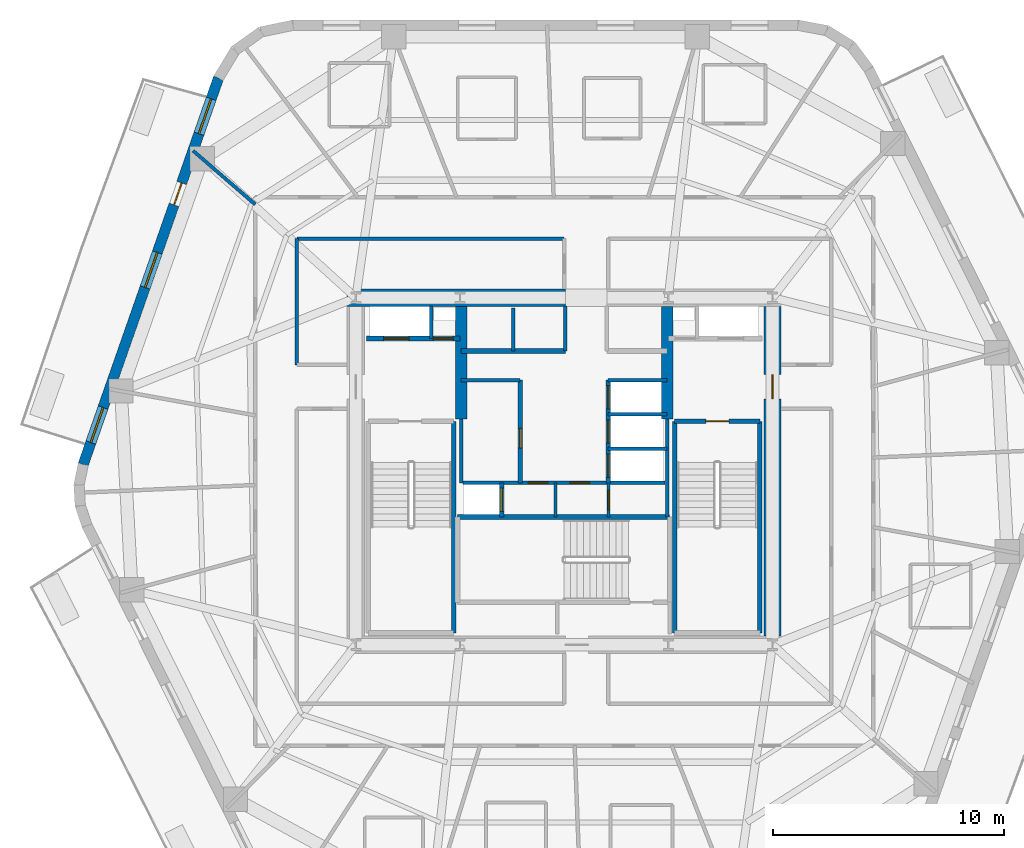
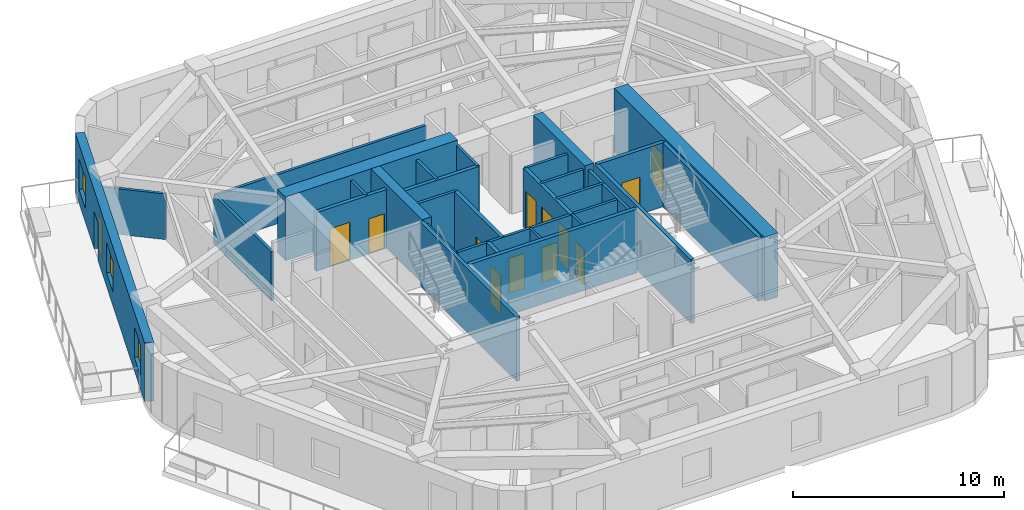
# One storey, part 4 of 10: 30 walls, 13 doors, 3 windows, 16 openings.
"""IFC4 building model written with IfcOpenShell, lengths in metres."""

from ifc_helpers import new_model, si_unit, direction, frame, frame_2d, origin, place, context, subcontext, project, spatial, rectangle, extrude, material, layer, layer_set, type_object, element, fill, save


model = new_model("IFC4")

# Units and contexts
model_context = context("Model", 3, precision=1e-05, world=origin(), true_north=direction((0.0, 1.0)))
body_context = subcontext(model_context, "Body", "Model", "MODEL_VIEW")
ifc_project = project(units=[si_unit("LENGTHUNIT", "METRE"), si_unit("AREAUNIT", "SQUARE_METRE"), si_unit("VOLUMEUNIT", "CUBIC_METRE"), si_unit("PLANEANGLEUNIT", "RADIAN"), si_unit("MASSUNIT", "GRAM", prefix="KILO")], contexts=[model_context])

# Site, building, storey
site_placement = place(None, origin())
site = spatial("IfcSite", under=ifc_project, at=site_placement, CompositionType="ELEMENT")
building_placement = place(site_placement, origin())
building = spatial("IfcBuilding", under=site, at=building_placement, Name="Kilnhurst Terrace Hotel", CompositionType="ELEMENT")
storey_placement = place(building_placement, frame((0.0, 0.0, 179.300048828125)))
storey = spatial("IfcBuildingStorey", under=building, at=storey_placement, Name="L44", CompositionType="ELEMENT", Elevation=179.300048828125)

# Wall, openings, door, windows
ifc_material_1 = material(Name="Precast concrete C40/50", Category="concrete")
ifc_layer_1 = layer(ifc_material_1, 0.449951171875, Name="Precast concrete C40/50")
ifc_layer_set_1 = layer_set([ifc_layer_1], Name="Precast concrete C40/50")
wall_type_1 = type_object("IfcWallType", Name="WL-BRK-450", PredefinedType="SOLIDWALL", material=ifc_layer_set_1)
wall_1_placement = place(storey_placement, frame((-14.936767578125, 16.993408203125, 0.0), z_axis=(0.0, 0.0, 1.0), x_axis=(-0.330431575061, -0.943829949834, 0.0)))
wall_1 = element("IfcWall", 1, at=wall_1_placement, inside=storey, type_object=wall_type_1, Name="L44 Exterior Brick Facade Wall F5", PredefinedType="SOLIDWALL", context=body_context, shape_type="SweptSolid", body=[
    extrude(rectangle(XDim=17.68896484375, YDim=0.449951171875, at=frame_2d((8.844482421875, 0.0))), origin(), (0.0, 0.0, 1.0), 3.39990234375),
])
opening_1_placement = place(wall_1_placement, frame((4.806884765625, 0.0, 0.0)))
opening_1 = element("IfcOpeningElement", 2, at=opening_1_placement, cuts=wall_1, Name="Opening BD-1000", PredefinedType="OPENING", context=body_context, shape_type="SweptSolid", body=[
    extrude(rectangle(XDim=1.0, YDim=2.14990234375, at=frame_2d((0.5, 1.074951171875))), frame((0.0, 0.23486328125, 0.0), z_axis=(0.0, -1.0, 0.0), x_axis=(1.0, 0.0, 0.0)), (0.0, 0.0, 1.0), 0.469970703125),
])
opening_2_placement = place(wall_1_placement, frame((0.949951171875, 0.0, 0.800048828125)))
opening_2 = element("IfcOpeningElement", 3, at=opening_2_placement, cuts=wall_1, Name="Opening W-05", PredefinedType="OPENING", context=body_context, shape_type="SweptSolid", body=[
    extrude(rectangle(XDim=1.60009765625, YDim=1.75, at=frame_2d((0.800048828125, 0.875))), frame((0.0, 0.23486328125, 0.0), z_axis=(0.0, -1.0, 0.0), x_axis=(1.0, 0.0, 0.0)), (0.0, 0.0, 1.0), 0.469970703125),
])
opening_3_placement = place(wall_1_placement, frame((7.989990234375, 0.0, 0.800048828125)))
opening_3 = element("IfcOpeningElement", 4, at=opening_3_placement, cuts=wall_1, Name="Opening W-05", PredefinedType="OPENING", context=body_context, shape_type="SweptSolid", body=[
    extrude(rectangle(XDim=1.60009765625, YDim=1.75, at=frame_2d((0.800048828125, 0.875))), frame((0.0, 0.23486328125, 0.0), z_axis=(0.0, -1.0, 0.0), x_axis=(1.0, 0.0, 0.0)), (0.0, 0.0, 1.0), 0.469970703125),
])
opening_4_placement = place(wall_1_placement, frame((15.083984375, 0.0, 0.800048828125)))
opening_4 = element("IfcOpeningElement", 5, at=opening_4_placement, cuts=wall_1, Name="Opening W-05", PredefinedType="OPENING", context=body_context, shape_type="SweptSolid", body=[
    extrude(rectangle(XDim=1.60009765625, YDim=1.75, at=frame_2d((0.800048828125, 0.875))), frame((0.0, 0.23486328125, 0.0), z_axis=(0.0, -1.0, 0.0), x_axis=(1.0, 0.0, 0.0)), (0.0, 0.0, 1.0), 0.469970703125),
])
ifc_material_2 = material(Name="Thermally Broken Bronze Aluminium Alloy 6063-T6 and Laminated Glass", Category="aluminium")
door_type_1 = type_object("IfcDoorType", Name="DR-EXT-BAL-1000", OperationType="NOTDEFINED", PredefinedType="DOOR", material=ifc_material_2)
door_1_placement = place(opening_1_placement, origin())
door_1 = element("IfcDoor", 6, at=door_1_placement, inside=storey, type_object=door_type_1, Name="L44 Planted Balcony Door BAL-L2A", OperationType="SINGLE_SWING_LEFT", OverallHeight=2.14990234375, OverallWidth=1.0, PredefinedType="DOOR", context=body_context, shape_type="SweptSolid", body=[
    extrude(rectangle(XDim=1.0, YDim=2.14990234375, at=frame_2d((0.5, 1.074951171875))), frame((0.0, 0.02490234375, 0.0), z_axis=(0.0, -1.0, 0.0), x_axis=(1.0, 0.0, 0.0)), (0.0, 0.0, 1.0), 0.050048828125),
])
fill(opening_1, door_1)
ifc_material_3 = material(Name="Thermally Broken Bronze Aluminium Alloy 6063-T6 and Low-E Glass", Category="aluminium")
window_type = type_object("IfcWindowType", Name="WIN-1600X1750", PartitioningType="SINGLE_PANEL", PredefinedType="WINDOW", material=ifc_material_3)
window_1_placement = place(opening_2_placement, origin())
window_1 = element("IfcWindow", 7, at=window_1_placement, inside=storey, type_object=window_type, Name="L44 Deep-Set Masonry Window F5.1", OverallHeight=1.75, OverallWidth=1.60009765625, PartitioningType="SINGLE_PANEL", PredefinedType="WINDOW", context=body_context, shape_type="SweptSolid", body=[
    extrude(rectangle(XDim=1.60009765625, YDim=1.75, at=frame_2d((0.800048828125, 0.875))), frame((0.0, 0.030029296875, 0.0), z_axis=(0.0, -1.0, 0.0), x_axis=(1.0, 0.0, 0.0)), (0.0, 0.0, 1.0), 0.06005859375),
])
fill(opening_2, window_1)
window_2_placement = place(opening_3_placement, origin())
window_2 = element("IfcWindow", 8, at=window_2_placement, inside=storey, type_object=window_type, Name="L44 Deep-Set Masonry Window F5.2", OverallHeight=1.75, OverallWidth=1.60009765625, PartitioningType="SINGLE_PANEL", PredefinedType="WINDOW", context=body_context, shape_type="SweptSolid", body=[
    extrude(rectangle(XDim=1.60009765625, YDim=1.75, at=frame_2d((0.800048828125, 0.875))), frame((0.0, 0.030029296875, 0.0), z_axis=(0.0, -1.0, 0.0), x_axis=(1.0, 0.0, 0.0)), (0.0, 0.0, 1.0), 0.06005859375),
])
fill(opening_3, window_2)
window_3_placement = place(opening_4_placement, origin())
window_3 = element("IfcWindow", 9, at=window_3_placement, inside=storey, type_object=window_type, Name="L44 Deep-Set Masonry Window F5.3", OverallHeight=1.75, OverallWidth=1.60009765625, PartitioningType="SINGLE_PANEL", PredefinedType="WINDOW", context=body_context, shape_type="SweptSolid", body=[
    extrude(rectangle(XDim=1.60009765625, YDim=1.75, at=frame_2d((0.800048828125, 0.875))), frame((0.0, 0.030029296875, 0.0), z_axis=(0.0, -1.0, 0.0), x_axis=(1.0, 0.0, 0.0)), (0.0, 0.0, 1.0), 0.06005859375),
])
fill(opening_4, window_3)

# Walls
ifc_material_4 = material(Name="Acoustic Double-Gypsum Corridor Partition Assembly")
ifc_layer_2 = layer(ifc_material_4, 0.14990234375, Name="Acoustic Double-Gypsum Corridor Partition Assembly")
ifc_layer_set_2 = layer_set([ifc_layer_2], Name="Acoustic Double-Gypsum Corridor Partition Assembly")
wall_type_2 = type_object("IfcWallType", Name="WL-COR-150", PredefinedType="PARTITIONING", material=ifc_layer_set_2)
wall_2_placement = place(storey_placement, frame((0.0, 10.050048828125, 0.0), z_axis=(0.0, 0.0, 1.0), x_axis=(-1.0, 0.0, 0.0)))
element("IfcWall", 10, at=wall_2_placement, inside=storey, type_object=wall_type_2, Name="L44 Interior Wall WL-L44-COR-12", PredefinedType="PARTITIONING", context=body_context, shape_type="SweptSolid", body=[
    extrude(rectangle(XDim=11.550048828125, YDim=0.14990234375, at=frame_2d((5.77490234375, 0.0))), origin(), (0.0, 0.0, 1.0), 2.83984375),
])
wall_3_placement = place(storey_placement, frame((-11.550048828125, 10.050048828125, 0.0), z_axis=(0.0, 0.0, 1.0), x_axis=(0.0, -1.0, 0.0)))
element("IfcWall", 11, at=wall_3_placement, inside=storey, type_object=wall_type_2, Name="L44 Interior Wall WL-L44-COR-13", PredefinedType="PARTITIONING", context=body_context, shape_type="SweptSolid", body=[
    extrude(rectangle(XDim=5.449951171875, YDim=0.14990234375, at=frame_2d((2.72509765625, 0.0))), origin(), (0.0, 0.0, 1.0), 2.83984375),
])
ifc_material_5 = material(Name="Concrete C60/75", Category="concrete")
ifc_layer_3 = layer(ifc_material_5, 0.75, Name="Concrete C60/75")
ifc_layer_set_3 = layer_set([ifc_layer_3], Name="Concrete C60/75")
wall_type_3 = type_object("IfcWallType", Name="WL-CORE-750", PredefinedType="SHEAR", material=ifc_layer_set_3)
wall_4_placement = place(storey_placement, frame((-9.375, 7.5, 0.0), z_axis=(0.0, 0.0, 1.0), x_axis=(1.0, 0.0, 0.0)))
element("IfcWall", 12, at=wall_4_placement, inside=storey, type_object=wall_type_3, Name="L44 Core North West Shear Wall", PredefinedType="SHEAR", context=body_context, shape_type="SweptSolid", body=[
    extrude(rectangle(XDim=9.425048828125, YDim=0.75, at=frame_2d((4.71240234375, 0.0))), origin(), (0.0, 0.0, 1.0), 3.699951171875),
])

# Wall, opening, door
wall_5_placement = place(storey_placement, frame((9.0, -7.125, 0.0), z_axis=(0.0, 0.0, 1.0), x_axis=(0.0, 1.0, 0.0)))
wall_5 = element("IfcWall", 13, at=wall_5_placement, inside=storey, type_object=wall_type_3, Name="L44 Core East Shear Wall", PredefinedType="SHEAR", context=body_context, shape_type="SweptSolid", body=[
    extrude(rectangle(XDim=14.25, YDim=0.75, at=frame_2d((7.125, 0.0))), origin(), (0.0, 0.0, 1.0), 3.699951171875),
])
opening_5_placement = place(wall_5_placement, frame((10.25, 0.0, 0.0)))
opening_5 = element("IfcOpeningElement", 14, at=opening_5_placement, cuts=wall_5, Name="Opening D-90A", PredefinedType="OPENING", context=body_context, shape_type="SweptSolid", body=[
    extrude(rectangle(XDim=1.050048828125, YDim=2.14990234375, at=frame_2d((0.52490234375, 1.074951171875))), frame((0.0, 0.385009765625, 0.0), z_axis=(0.0, -1.0, 0.0), x_axis=(1.0, 0.0, 0.0)), (0.0, 0.0, 1.0), 0.77001953125),
])
ifc_material_6 = material(Name="Painted Hollow Metal Steel ASTM A36 Fire Door", Category="steel")
door_type_2 = type_object("IfcDoorType", Name="DR-FD90-1050", OperationType="NOTDEFINED", PredefinedType="DOOR", material=ifc_material_6)
door_2_placement = place(opening_5_placement, origin())
door_2 = element("IfcDoor", 15, at=door_2_placement, inside=storey, type_object=door_type_2, Name="L44 East Firefighting Lobby Door", OperationType="SINGLE_SWING_LEFT", OverallHeight=2.14990234375, OverallWidth=1.050048828125, PredefinedType="DOOR", context=body_context, shape_type="SweptSolid", body=[
    extrude(rectangle(XDim=1.050048828125, YDim=2.14990234375, at=frame_2d((0.52490234375, 1.074951171875))), frame((0.0, 0.02490234375, 0.0), z_axis=(0.0, -1.0, 0.0), x_axis=(1.0, 0.0, 0.0)), (0.0, 0.0, 1.0), 0.050048828125),
])
fill(opening_5, door_2)

# Walls
ifc_layer_4 = layer(ifc_material_5, 0.5, Name="Concrete C60/75")
ifc_layer_set_4 = layer_set([ifc_layer_4], Name="Concrete C60/75")
wall_type_4 = type_object("IfcWallType", Name="WL-CORE-WEB-500", PredefinedType="SHEAR", material=ifc_layer_set_4)
for number, where, z_axis, x_axis, name in (
    (16, (-4.449951171875, 2.25, 0.0), (0.0, 0.0, 1.0), (0.0, 1.0, 0.0), "L44 Core Internal West Shear Web"),
    (17, (4.449951171875, 2.25, 0.0), (0.0, 0.0, 1.0), (0.0, 1.0, 0.0), "L44 Core Internal East Shear Web"),
):
    element("IfcWall", number, at=place(storey_placement, frame(where, z_axis=z_axis, x_axis=x_axis)), inside=storey, type_object=wall_type_4, Name=name, PredefinedType="SHEAR", context=body_context, shape_type="SweptSolid", body=[
        extrude(rectangle(XDim=4.875, YDim=0.5, at=frame_2d((2.4375, 0.0))), origin(), (0.0, 0.0, 1.0), 3.699951171875),
    ])
ifc_material_7 = material(Name="STC-58 Acoustic Twin-Frame Guestroom Demising Partition")
ifc_layer_5 = layer(ifc_material_7, 0.14990234375, Name="STC-58 Acoustic Twin-Frame Guestroom Demising Partition")
ifc_layer_set_5 = layer_set([ifc_layer_5], Name="STC-58 Acoustic Twin-Frame Guestroom Demising Partition")
wall_type_5 = type_object("IfcWallType", Name="WL-DEM-150", PredefinedType="PARTITIONING", material=ifc_layer_set_5)
wall_6_placement = place(storey_placement, frame((-13.35009765625, 11.53271484375, 0.0), z_axis=(0.0, 0.0, 1.0), x_axis=(-0.756711647314, 0.65374879183, 0.0)))
element("IfcWall", 18, at=wall_6_placement, inside=storey, type_object=wall_type_5, Name="L44 Interior Wall WL-L44-DEM-COL05-09-1", PredefinedType="PARTITIONING", context=body_context, shape_type="SweptSolid", body=[
    extrude(rectangle(XDim=3.549560546875, YDim=0.14990234375, at=frame_2d((1.77490234375, 0.0))), origin(), (0.0, 0.0, 1.0), 2.639892578125),
])
ifc_material_8 = material(Name="120 mm Moisture-Resistant Tile-Backed Bathroom Partition")
ifc_layer_6 = layer(ifc_material_8, 0.1201171875, Name="120 mm Moisture-Resistant Tile-Backed Bathroom Partition")
ifc_layer_set_6 = layer_set([ifc_layer_6], Name="120 mm Moisture-Resistant Tile-Backed Bathroom Partition")
wall_type_6 = type_object("IfcWallType", Name="WL-PART-120", PredefinedType="PARTITIONING", material=ifc_layer_set_6)
wall_7_placement = place(storey_placement, frame((-0.3798828125, -1.971923828125, 0.0), z_axis=(0.0, 0.0, 1.0), x_axis=(0.0, 1.0, 0.0)))
element("IfcWall", 19, at=wall_7_placement, inside=storey, type_object=wall_type_6, Name="L44 Interior Wall WL-L44-BOH-C1", PredefinedType="PARTITIONING", context=body_context, shape_type="SweptSolid", body=[
    extrude(rectangle(XDim=1.471923828125, YDim=0.1201171875, at=frame_2d((0.73583984375, 0.0))), origin(), (0.0, 0.0, 1.0), 3.39990234375),
])

# Wall, opening, door
wall_8_placement = place(storey_placement, frame((1.919921875, -1.971923828125, 0.0), z_axis=(0.0, 0.0, 1.0), x_axis=(0.0, 1.0, 0.0)))
wall_8 = element("IfcWall", 20, at=wall_8_placement, inside=storey, type_object=wall_type_6, Name="L44 Interior Wall WL-L44-BOH-C2", PredefinedType="PARTITIONING", context=body_context, shape_type="SweptSolid", body=[
    extrude(rectangle(XDim=1.471923828125, YDim=0.1201171875, at=frame_2d((0.73583984375, 0.0))), origin(), (0.0, 0.0, 1.0), 3.39990234375),
])
opening_6_placement = place(wall_8_placement, frame((0.300048828125, 0.0, 0.0)))
opening_6 = element("IfcOpeningElement", 21, at=opening_6_placement, cuts=wall_8, Name="Opening D-08A", PredefinedType="OPENING", context=body_context, shape_type="SweptSolid", body=[
    extrude(rectangle(XDim=0.85009765625, YDim=2.030029296875, at=frame_2d((0.425048828125, 1.01513671875))), frame((0.0, 0.070068359375, 0.0), z_axis=(0.0, -1.0, 0.0), x_axis=(1.0, 0.0, 0.0)), (0.0, 0.0, 1.0), 0.14013671875),
])
ifc_material_9 = material(Name="Moisture-Resistant Lacquered En-suite Bathroom Door")
door_type_3 = type_object("IfcDoorType", Name="DR-INT-850", OperationType="NOTDEFINED", PredefinedType="DOOR", material=ifc_material_9)
door_3_placement = place(opening_6_placement, origin())
door_3 = element("IfcDoor", 22, at=door_3_placement, inside=storey, type_object=door_type_3, Name="L44 Staff Restroom Door", OperationType="SINGLE_SWING_RIGHT", OverallHeight=2.030029296875, OverallWidth=0.85009765625, PredefinedType="DOOR", context=body_context, shape_type="SweptSolid", body=[
    extrude(rectangle(XDim=0.85009765625, YDim=2.030029296875, at=frame_2d((0.425048828125, 1.01513671875))), frame((0.0, 0.02490234375, 0.0), z_axis=(0.0, -1.0, 0.0), x_axis=(1.0, 0.0, 0.0)), (0.0, 0.0, 1.0), 0.050048828125),
])
fill(opening_6, door_3)

# Walls
ifc_material_10 = material(Name="Fire-Rated Gypsum Shaftliner Assembly")
ifc_layer_7 = layer(ifc_material_10, 0.14990234375, Name="Fire-Rated Gypsum Shaftliner Assembly")
ifc_layer_set_7 = layer_set([ifc_layer_7], Name="Fire-Rated Gypsum Shaftliner Assembly")
wall_type_7 = type_object("IfcWallType", Name="WL-SHAFT-150", PredefinedType="PARTITIONING", material=ifc_layer_set_7)
wall_9_placement = place(storey_placement, frame((-5.75, 5.739990234375, 0.0), z_axis=(0.0, 0.0, 1.0), x_axis=(0.0, 1.0, 0.0)))
element("IfcWall", 23, at=wall_9_placement, inside=storey, type_object=wall_type_7, Name="L44 Interior Wall WL-L44-RIS1-DIV", PredefinedType="PARTITIONING", context=body_context, shape_type="SweptSolid", body=[
    extrude(rectangle(XDim=1.409912109375, YDim=0.14990234375, at=frame_2d((0.705078125, 0.0))), origin(), (0.0, 0.0, 1.0), 3.39990234375),
])
wall_10_placement = place(storey_placement, frame((-2.199951171875, 5.199951171875, 0.0), z_axis=(0.0, 0.0, 1.0), x_axis=(0.0, 1.0, 0.0)))
element("IfcWall", 24, at=wall_10_placement, inside=storey, type_object=wall_type_7, Name="L44 Interior Wall WL-L44-HR-DIV1", PredefinedType="PARTITIONING", context=body_context, shape_type="SweptSolid", body=[
    extrude(rectangle(XDim=1.85009765625, YDim=0.14990234375, at=frame_2d((0.925048828125, 0.0))), origin(), (0.0, 0.0, 1.0), 3.39990234375),
])
wall_11_placement = place(storey_placement, frame((0.050048828125, 5.199951171875, 0.0), z_axis=(0.0, 0.0, 1.0), x_axis=(0.0, 1.0, 0.0)))
element("IfcWall", 25, at=wall_11_placement, inside=storey, type_object=wall_type_7, Name="L44 Interior Wall WL-L44-HR-PORTAL-W", PredefinedType="PARTITIONING", context=body_context, shape_type="SweptSolid", body=[
    extrude(rectangle(XDim=1.949951171875, YDim=0.14990234375, at=frame_2d((0.97509765625, 0.0))), origin(), (0.0, 0.0, 1.0), 3.39990234375),
])
wall_12_placement = place(storey_placement, frame((-4.449951171875, -0.5, 0.0), z_axis=(0.0, 0.0, 1.0), x_axis=(0.0, 1.0, 0.0)))
element("IfcWall", 26, at=wall_12_placement, inside=storey, type_object=wall_type_7, Name="L44 Interior Wall WL-L44-XLOB-W", PredefinedType="PARTITIONING", context=body_context, shape_type="SweptSolid", body=[
    extrude(rectangle(XDim=2.75, YDim=0.14990234375, at=frame_2d((1.375, 0.0))), origin(), (0.0, 0.0, 1.0), 3.39990234375),
])
wall_13_placement = place(storey_placement, frame((4.449951171875, -1.971923828125, 0.0), z_axis=(0.0, 0.0, 1.0), x_axis=(0.0, 1.0, 0.0)))
element("IfcWall", 27, at=wall_13_placement, inside=storey, type_object=wall_type_7, Name="L44 Interior Wall WL-L44-XLOB-E", PredefinedType="PARTITIONING", context=body_context, shape_type="SweptSolid", body=[
    extrude(rectangle(XDim=4.221923828125, YDim=0.14990234375, at=frame_2d((2.11083984375, 0.0))), origin(), (0.0, 0.0, 1.0), 3.39990234375),
])
for number, where, z_axis, x_axis, name in (
    (28, (-4.449951171875, 3.93994140625, 0.0), (0.0, 0.0, 1.0), (1.0, 0.0, 0.0), "L44 Interior Wall WL-L44-LR-NORTH"),
    (29, (1.89990234375, 3.93994140625, 0.0), (0.0, 0.0, 1.0), (1.0, 0.0, 0.0), "L44 Interior Wall WL-L44-MR-NORTH"),
    (30, (1.89990234375, 0.97998046875, 0.0), (0.0, 0.0, 1.0), (1.0, 0.0, 0.0), "L44 Interior Wall WL-L44-MR-D1"),
    (31, (1.89990234375, 2.4599609375, 0.0), (0.0, 0.0, 1.0), (1.0, 0.0, 0.0), "L44 Interior Wall WL-L44-MR-D2"),
):
    element("IfcWall", number, at=place(storey_placement, frame(where, z_axis=z_axis, x_axis=x_axis)), inside=storey, type_object=wall_type_7, Name=name, PredefinedType="PARTITIONING", context=body_context, shape_type="SweptSolid", body=[
        extrude(rectangle(XDim=2.550048828125, YDim=0.14990234375, at=frame_2d((1.27490234375, 0.0))), origin(), (0.0, 0.0, 1.0), 3.39990234375),
    ])

# Wall, openings, doors
wall_14_placement = place(storey_placement, frame((-4.360107421875, -0.489990234375, 0.0), z_axis=(0.0, 0.0, 1.0), x_axis=(1.0, 0.0, 0.0)))
wall_14 = element("IfcWall", 32, at=wall_14_placement, inside=storey, type_object=wall_type_7, Name="L44 Interior Wall WL-L44-BOH-N", PredefinedType="PARTITIONING", context=body_context, shape_type="SweptSolid", body=[
    extrude(rectangle(XDim=8.72021484375, YDim=0.14990234375, at=frame_2d((4.360107421875, 0.0))), origin(), (0.0, 0.0, 1.0), 3.39990234375),
])
opening_7_placement = place(wall_14_placement, frame((2.81005859375, 0.0, 0.0)))
opening_7 = element("IfcOpeningElement", 33, at=opening_7_placement, cuts=wall_14, Name="Opening D-60D", PredefinedType="OPENING", context=body_context, shape_type="SweptSolid", body=[
    extrude(rectangle(XDim=0.85009765625, YDim=2.030029296875, at=frame_2d((0.425048828125, 1.01513671875))), frame((0.0, 0.0849609375, 0.0), z_axis=(0.0, -1.0, 0.0), x_axis=(1.0, 0.0, 0.0)), (0.0, 0.0, 1.0), 0.169921875),
])
opening_8_placement = place(wall_14_placement, frame((4.610107421875, 0.0, 0.0)))
opening_8 = element("IfcOpeningElement", 34, at=opening_8_placement, cuts=wall_14, Name="Opening D-60D", PredefinedType="OPENING", context=body_context, shape_type="SweptSolid", body=[
    extrude(rectangle(XDim=0.85009765625, YDim=2.030029296875, at=frame_2d((0.425048828125, 1.01513671875))), frame((0.0, 0.0849609375, 0.0), z_axis=(0.0, -1.0, 0.0), x_axis=(1.0, 0.0, 0.0)), (0.0, 0.0, 1.0), 0.169921875),
])
ifc_material_11 = material(Name="Painted Hollow Metal Steel ASTM A36 Riser Door", Category="steel")
door_type_4 = type_object("IfcDoorType", Name="DR-FD60-850", OperationType="NOTDEFINED", PredefinedType="DOOR", material=ifc_material_11)
door_4_placement = place(opening_7_placement, origin())
door_4 = element("IfcDoor", 35, at=door_4_placement, inside=storey, type_object=door_type_4, Name="L44 Housekeeping Station Door", OperationType="SINGLE_SWING_LEFT", OverallHeight=2.030029296875, OverallWidth=0.85009765625, PredefinedType="DOOR", context=body_context, shape_type="SweptSolid", body=[
    extrude(rectangle(XDim=0.85009765625, YDim=2.030029296875, at=frame_2d((0.425048828125, 1.01513671875))), frame((0.0, 0.02490234375, 0.0), z_axis=(0.0, -1.0, 0.0), x_axis=(1.0, 0.0, 0.0)), (0.0, 0.0, 1.0), 0.050048828125),
])
fill(opening_7, door_4)
door_5_placement = place(opening_8_placement, origin())
door_5 = element("IfcDoor", 36, at=door_5_placement, inside=storey, type_object=door_type_4, Name="L44 Beverage Pantry Door", OperationType="SINGLE_SWING_RIGHT", OverallHeight=2.030029296875, OverallWidth=0.85009765625, PredefinedType="DOOR", context=body_context, shape_type="SweptSolid", body=[
    extrude(rectangle(XDim=0.85009765625, YDim=2.030029296875, at=frame_2d((0.425048828125, 1.01513671875))), frame((0.0, 0.02490234375, 0.0), z_axis=(0.0, -1.0, 0.0), x_axis=(1.0, 0.0, 0.0)), (0.0, 0.0, 1.0), 0.050048828125),
])
fill(opening_8, door_5)

ifc_material_12 = material(Name="Autoclaved Aerated Concrete C30/37 and Gypsum Shaft Assembly", Category="concrete")
ifc_layer_8 = layer(ifc_material_12, 0.199951171875, Name="Autoclaved Aerated Concrete C30/37 and Gypsum Shaft Assembly")
ifc_layer_set_8 = layer_set([ifc_layer_8], Name="Autoclaved Aerated Concrete C30/37 and Gypsum Shaft Assembly")
wall_type_8 = type_object("IfcWallType", Name="WL-SHAFT-200", PredefinedType="PARTITIONING", material=ifc_layer_set_8)
wall_15_placement = place(storey_placement, frame((-8.550048828125, 5.739990234375, 0.0), z_axis=(0.0, 0.0, 1.0), x_axis=(1.0, 0.0, 0.0)))
wall_15 = element("IfcWall", 37, at=wall_15_placement, inside=storey, type_object=wall_type_8, Name="L44 Interior Wall WL-L44-FSAE1-S", PredefinedType="PARTITIONING", context=body_context, shape_type="SweptSolid", body=[
    extrude(rectangle(XDim=4.050048828125, YDim=0.199951171875, at=frame_2d((2.02490234375, 0.0))), origin(), (0.0, 0.0, 1.0), 3.39990234375),
])
opening_9_placement = place(wall_15_placement, frame((0.75, 0.0, 0.0)))
opening_9 = element("IfcOpeningElement", 38, at=opening_9_placement, cuts=wall_15, Name="Opening LD-F1", PredefinedType="OPENING", context=body_context, shape_type="SweptSolid", body=[
    extrude(rectangle(XDim=1.10009765625, YDim=2.199951171875, at=frame_2d((0.550048828125, 1.10009765625))), frame((0.0, 0.10986328125, 0.0), z_axis=(0.0, -1.0, 0.0), x_axis=(1.0, 0.0, 0.0)), (0.0, 0.0, 1.0), 0.219970703125),
])
opening_10_placement = place(wall_15_placement, frame((2.89990234375, 0.0, 0.0)))
opening_10 = element("IfcOpeningElement", 39, at=opening_10_placement, cuts=wall_15, Name="Opening D-60D", PredefinedType="OPENING", context=body_context, shape_type="SweptSolid", body=[
    extrude(rectangle(XDim=0.85009765625, YDim=2.030029296875, at=frame_2d((0.425048828125, 1.01513671875))), frame((0.0, 0.10986328125, 0.0), z_axis=(0.0, -1.0, 0.0), x_axis=(1.0, 0.0, 0.0)), (0.0, 0.0, 1.0), 0.219970703125),
])
door_6_placement = place(opening_10_placement, origin())
door_6 = element("IfcDoor", 40, at=door_6_placement, inside=storey, type_object=door_type_4, Name="L44 Electrical Riser Door", OperationType="SINGLE_SWING_LEFT", OverallHeight=2.030029296875, OverallWidth=0.85009765625, PredefinedType="DOOR", context=body_context, shape_type="SweptSolid", body=[
    extrude(rectangle(XDim=0.85009765625, YDim=2.030029296875, at=frame_2d((0.425048828125, 1.01513671875))), frame((0.0, 0.02490234375, 0.0), z_axis=(0.0, -1.0, 0.0), x_axis=(1.0, 0.0, 0.0)), (0.0, 0.0, 1.0), 0.050048828125),
])
fill(opening_10, door_6)
ifc_material_13 = material(Name="Bronze-Anodized Stainless Steel AISI 316L Sliding Door", Category="steel")
door_type_5 = type_object("IfcDoorType", Name="DR-LIFT-1100", OperationType="NOTDEFINED", PredefinedType="DOOR", material=ifc_material_13)
door_7_placement = place(opening_9_placement, origin())
door_7 = element("IfcDoor", 41, at=door_7_placement, inside=storey, type_object=door_type_5, Name="L44 FSAE-1 Landing Door", OperationType="SLIDING_TO_LEFT", OverallHeight=2.199951171875, OverallWidth=1.10009765625, PredefinedType="DOOR", context=body_context, shape_type="SweptSolid", body=[
    extrude(rectangle(XDim=1.10009765625, YDim=2.199951171875, at=frame_2d((0.550048828125, 1.10009765625))), frame((0.0, 0.02490234375, 0.0), z_axis=(0.0, -1.0, 0.0), x_axis=(1.0, 0.0, 0.0)), (0.0, 0.0, 1.0), 0.050048828125),
])
fill(opening_9, door_7)

# Wall, opening, door
wall_16_placement = place(storey_placement, frame((-2.699951171875, -1.971923828125, 0.0), z_axis=(0.0, 0.0, 1.0), x_axis=(0.0, 1.0, 0.0)))
wall_16 = element("IfcWall", 42, at=wall_16_placement, inside=storey, type_object=wall_type_8, Name="L44 Interior Wall WL-L44-SRV1-E", PredefinedType="PARTITIONING", context=body_context, shape_type="SweptSolid", body=[
    extrude(rectangle(XDim=1.471923828125, YDim=0.199951171875, at=frame_2d((0.73583984375, 0.0))), origin(), (0.0, 0.0, 1.0), 3.39990234375),
])
opening_11_placement = place(wall_16_placement, frame((0.239990234375, 0.0, 0.0)))
opening_11 = element("IfcOpeningElement", 43, at=opening_11_placement, cuts=wall_16, Name="Opening LD-SV", PredefinedType="OPENING", context=body_context, shape_type="SweptSolid", body=[
    extrude(rectangle(XDim=1.0, YDim=2.199951171875, at=frame_2d((0.5, 1.10009765625))), frame((0.0, 0.10986328125, 0.0), z_axis=(0.0, -1.0, 0.0), x_axis=(1.0, 0.0, 0.0)), (0.0, 0.0, 1.0), 0.219970703125),
])
door_type_6 = type_object("IfcDoorType", Name="DR-LIFT-1000", OperationType="NOTDEFINED", PredefinedType="DOOR", material=ifc_material_13)
door_8_placement = place(opening_11_placement, origin())
door_8 = element("IfcDoor", 44, at=door_8_placement, inside=storey, type_object=door_type_6, Name="L44 Service Lift SRV-1 Landing Door", OperationType="SLIDING_TO_LEFT", OverallHeight=2.199951171875, OverallWidth=1.0, PredefinedType="DOOR", context=body_context, shape_type="SweptSolid", body=[
    extrude(rectangle(XDim=1.0, YDim=2.199951171875, at=frame_2d((0.5, 1.10009765625))), frame((0.0, 0.02490234375, 0.0), z_axis=(0.0, -1.0, 0.0), x_axis=(1.0, 0.0, 0.0)), (0.0, 0.0, 1.0), 0.050048828125),
])
fill(opening_11, door_8)

# Wall
wall_17_placement = place(storey_placement, frame((-4.449951171875, 5.199951171875, 0.0), z_axis=(0.0, 0.0, 1.0), x_axis=(1.0, 0.0, 0.0)))
element("IfcWall", 45, at=wall_17_placement, inside=storey, type_object=wall_type_8, Name="L44 Interior Wall WL-L44-HR-SW", PredefinedType="PARTITIONING", context=body_context, shape_type="SweptSolid", body=[
    extrude(rectangle(XDim=4.5, YDim=0.199951171875, at=frame_2d((2.25, 0.0))), origin(), (0.0, 0.0, 1.0), 3.39990234375),
])

# Wall, opening, door
wall_18_placement = place(storey_placement, frame((-1.89990234375, -0.5, 0.0), z_axis=(0.0, 0.0, 1.0), x_axis=(0.0, 1.0, 0.0)))
wall_18 = element("IfcWall", 46, at=wall_18_placement, inside=storey, type_object=wall_type_8, Name="L44 Interior Wall WL-L44-LR-FRONT", PredefinedType="PARTITIONING", context=body_context, shape_type="SweptSolid", body=[
    extrude(rectangle(XDim=4.43994140625, YDim=0.199951171875, at=frame_2d((2.219970703125, 0.0))), origin(), (0.0, 0.0, 1.0), 3.39990234375),
])
opening_12_placement = place(wall_18_placement, frame((1.5, 0.0, 0.0)))
opening_12 = element("IfcOpeningElement", 47, at=opening_12_placement, cuts=wall_18, Name="Opening D-60D", PredefinedType="OPENING", context=body_context, shape_type="SweptSolid", body=[
    extrude(rectangle(XDim=0.85009765625, YDim=2.030029296875, at=frame_2d((0.425048828125, 1.01513671875))), frame((0.0, 0.10986328125, 0.0), z_axis=(0.0, -1.0, 0.0), x_axis=(1.0, 0.0, 0.0)), (0.0, 0.0, 1.0), 0.219970703125),
])
door_9_placement = place(opening_12_placement, origin())
door_9 = element("IfcDoor", 48, at=door_9_placement, inside=storey, type_object=door_type_4, Name="L44 Reclaimed Linen Room Door", OperationType="SINGLE_SWING_LEFT", OverallHeight=2.030029296875, OverallWidth=0.85009765625, PredefinedType="DOOR", context=body_context, shape_type="SweptSolid", body=[
    extrude(rectangle(XDim=0.85009765625, YDim=2.030029296875, at=frame_2d((0.425048828125, 1.01513671875))), frame((0.0, 0.02490234375, 0.0), z_axis=(0.0, -1.0, 0.0), x_axis=(1.0, 0.0, 0.0)), (0.0, 0.0, 1.0), 0.050048828125),
])
fill(opening_12, door_9)

# Wall, openings, doors
wall_19_placement = place(storey_placement, frame((1.89990234375, -0.5, 0.0), z_axis=(0.0, 0.0, 1.0), x_axis=(0.0, 1.0, 0.0)))
wall_19 = element("IfcWall", 49, at=wall_19_placement, inside=storey, type_object=wall_type_8, Name="L44 Interior Wall WL-L44-MR-FRONT", PredefinedType="PARTITIONING", context=body_context, shape_type="SweptSolid", body=[
    extrude(rectangle(XDim=4.43994140625, YDim=0.199951171875, at=frame_2d((2.219970703125, 0.0))), origin(), (0.0, 0.0, 1.0), 3.39990234375),
])
opening_13_placement = place(wall_19_placement, frame((0.239990234375, 0.0, 0.0)))
opening_13 = element("IfcOpeningElement", 50, at=opening_13_placement, cuts=wall_19, Name="Opening LD-MR", PredefinedType="OPENING", context=body_context, shape_type="SweptSolid", body=[
    extrude(rectangle(XDim=1.0, YDim=2.199951171875, at=frame_2d((0.5, 1.10009765625))), frame((0.0, 0.10986328125, 0.0), z_axis=(0.0, -1.0, 0.0), x_axis=(1.0, 0.0, 0.0)), (0.0, 0.0, 1.0), 0.219970703125),
])
opening_14_placement = place(wall_19_placement, frame((1.719970703125, 0.0, 0.0)))
opening_14 = element("IfcOpeningElement", 51, at=opening_14_placement, cuts=wall_19, Name="Opening LD-MR", PredefinedType="OPENING", context=body_context, shape_type="SweptSolid", body=[
    extrude(rectangle(XDim=1.0, YDim=2.199951171875, at=frame_2d((0.5, 1.10009765625))), frame((0.0, 0.10986328125, 0.0), z_axis=(0.0, -1.0, 0.0), x_axis=(1.0, 0.0, 0.0)), (0.0, 0.0, 1.0), 0.219970703125),
])
opening_15_placement = place(wall_19_placement, frame((3.199951171875, 0.0, 0.0)))
opening_15 = element("IfcOpeningElement", 52, at=opening_15_placement, cuts=wall_19, Name="Opening LD-MR", PredefinedType="OPENING", context=body_context, shape_type="SweptSolid", body=[
    extrude(rectangle(XDim=1.0, YDim=2.199951171875, at=frame_2d((0.5, 1.10009765625))), frame((0.0, 0.10986328125, 0.0), z_axis=(0.0, -1.0, 0.0), x_axis=(1.0, 0.0, 0.0)), (0.0, 0.0, 1.0), 0.219970703125),
])
door_10_placement = place(opening_13_placement, origin())
door_10 = element("IfcDoor", 53, at=door_10_placement, inside=storey, type_object=door_type_6, Name="L44 Mid Rise Lift MR-1 Landing Door", OperationType="SLIDING_TO_RIGHT", OverallHeight=2.199951171875, OverallWidth=1.0, PredefinedType="DOOR", context=body_context, shape_type="SweptSolid", body=[
    extrude(rectangle(XDim=1.0, YDim=2.199951171875, at=frame_2d((0.5, 1.10009765625))), frame((0.0, 0.02490234375, 0.0), z_axis=(0.0, -1.0, 0.0), x_axis=(1.0, 0.0, 0.0)), (0.0, 0.0, 1.0), 0.050048828125),
])
fill(opening_13, door_10)
door_11_placement = place(opening_14_placement, origin())
door_11 = element("IfcDoor", 54, at=door_11_placement, inside=storey, type_object=door_type_6, Name="L44 Mid Rise Lift MR-2 Landing Door", OperationType="SLIDING_TO_RIGHT", OverallHeight=2.199951171875, OverallWidth=1.0, PredefinedType="DOOR", context=body_context, shape_type="SweptSolid", body=[
    extrude(rectangle(XDim=1.0, YDim=2.199951171875, at=frame_2d((0.5, 1.10009765625))), frame((0.0, 0.02490234375, 0.0), z_axis=(0.0, -1.0, 0.0), x_axis=(1.0, 0.0, 0.0)), (0.0, 0.0, 1.0), 0.050048828125),
])
fill(opening_14, door_11)
door_12_placement = place(opening_15_placement, origin())
door_12 = element("IfcDoor", 55, at=door_12_placement, inside=storey, type_object=door_type_6, Name="L44 Mid Rise Lift MR-3 Landing Door", OperationType="SLIDING_TO_RIGHT", OverallHeight=2.199951171875, OverallWidth=1.0, PredefinedType="DOOR", context=body_context, shape_type="SweptSolid", body=[
    extrude(rectangle(XDim=1.0, YDim=2.199951171875, at=frame_2d((0.5, 1.10009765625))), frame((0.0, 0.02490234375, 0.0), z_axis=(0.0, -1.0, 0.0), x_axis=(1.0, 0.0, 0.0)), (0.0, 0.0, 1.0), 0.050048828125),
])
fill(opening_15, door_12)

# Walls
ifc_material_14 = material(Name="Concrete C50/60", Category="concrete")
ifc_layer_9 = layer(ifc_material_14, 0.199951171875, Name="Concrete C50/60")
ifc_layer_set_9 = layer_set([ifc_layer_9], Name="Concrete C50/60")
wall_type_9 = type_object("IfcWallType", Name="WL-STAIR-RC-200", PredefinedType="SHEAR", material=ifc_layer_set_9)
for number, where, z_axis, x_axis, name in (
    (56, (-4.77197265625, -6.985107421875, 0.0), (0.0, 0.0, 1.0), (0.0, 1.0, 0.0), "L44 Structural Stair Shaft Wall WL-L44-ST1-E"),
    (57, (4.77197265625, -6.985107421875, 0.0), (0.0, 0.0, 1.0), (0.0, 1.0, 0.0), "L44 Structural Stair Shaft Wall WL-L44-ST2-W"),
    (58, (8.4580078125, -6.985107421875, 0.0), (0.0, 0.0, 1.0), (0.0, 1.0, 0.0), "L44 Structural Stair Shaft Wall WL-L44-ST2-E"),
):
    element("IfcWall", number, at=place(storey_placement, frame(where, z_axis=z_axis, x_axis=x_axis)), inside=storey, type_object=wall_type_9, Name=name, PredefinedType="SHEAR", context=body_context, shape_type="SweptSolid", body=[
        extrude(rectangle(XDim=9.14306640625, YDim=0.199951171875, at=frame_2d((4.571533203125, 0.0))), origin(), (0.0, 0.0, 1.0), 3.699951171875),
    ])

# Wall, opening, door
wall_20_placement = place(storey_placement, frame((4.77197265625, 2.157958984375, 0.0), z_axis=(0.0, 0.0, 1.0), x_axis=(1.0, 0.0, 0.0)))
wall_20 = element("IfcWall", 59, at=wall_20_placement, inside=storey, type_object=wall_type_9, Name="L44 Structural Stair Shaft Wall WL-L44-ST2-N", PredefinedType="SHEAR", context=body_context, shape_type="SweptSolid", body=[
    extrude(rectangle(XDim=3.68603515625, YDim=0.199951171875, at=frame_2d((1.843017578125, 0.0))), origin(), (0.0, 0.0, 1.0), 3.699951171875),
])
opening_16_placement = place(wall_20_placement, frame((1.35009765625, 0.0, 0.0)))
opening_16 = element("IfcOpeningElement", 60, at=opening_16_placement, cuts=wall_20, Name="Opening D-90B", PredefinedType="OPENING", context=body_context, shape_type="SweptSolid", body=[
    extrude(rectangle(XDim=1.0, YDim=2.14990234375, at=frame_2d((0.5, 1.074951171875))), frame((0.0, 0.10986328125, 0.0), z_axis=(0.0, -1.0, 0.0), x_axis=(1.0, 0.0, 0.0)), (0.0, 0.0, 1.0), 0.219970703125),
])
door_type_7 = type_object("IfcDoorType", Name="DR-FD90-1000", OperationType="NOTDEFINED", PredefinedType="DOOR", material=ifc_material_6)
door_13_placement = place(opening_16_placement, origin())
door_13 = element("IfcDoor", 61, at=door_13_placement, inside=storey, type_object=door_type_7, Name="L44 Stair ST-2 Door", OperationType="SINGLE_SWING_RIGHT", OverallHeight=2.14990234375, OverallWidth=1.0, PredefinedType="DOOR", context=body_context, shape_type="SweptSolid", body=[
    extrude(rectangle(XDim=1.0, YDim=2.14990234375, at=frame_2d((0.5, 1.074951171875))), frame((0.0, 0.02490234375, 0.0), z_axis=(0.0, -1.0, 0.0), x_axis=(1.0, 0.0, 0.0)), (0.0, 0.0, 1.0), 0.050048828125),
])
fill(opening_16, door_13)

# Wall
wall_21_placement = place(storey_placement, frame((-4.60791015625, -1.971923828125, 0.0), z_axis=(0.0, 0.0, 1.0), x_axis=(1.0, 0.0, 0.0)))
element("IfcWall", 62, at=wall_21_placement, inside=storey, type_object=wall_type_9, Name="L44 Structural Stair Shaft Wall WL-L44-ST3-N", PredefinedType="SHEAR", context=body_context, shape_type="SweptSolid", body=[
    extrude(rectangle(XDim=9.166015625, YDim=0.199951171875, at=frame_2d((4.5830078125, 0.0))), origin(), (0.0, 0.0, 1.0), 3.699951171875),
])

save(model, "model.ifc")
